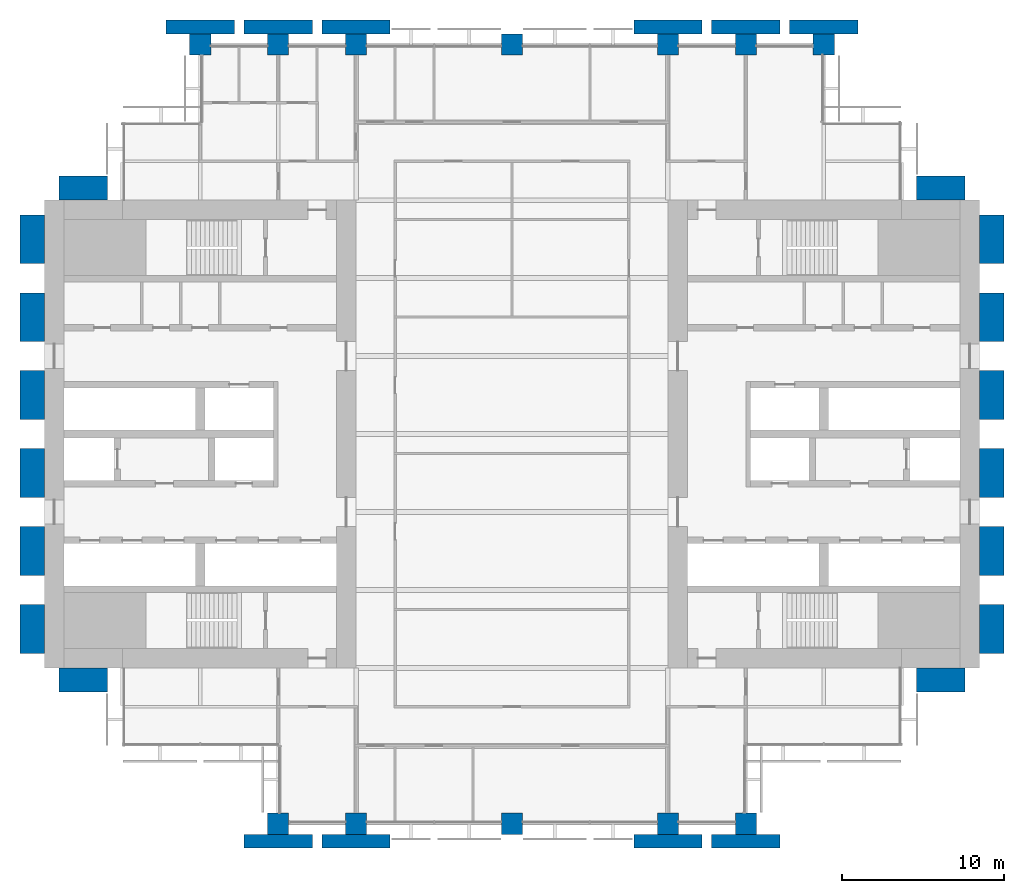
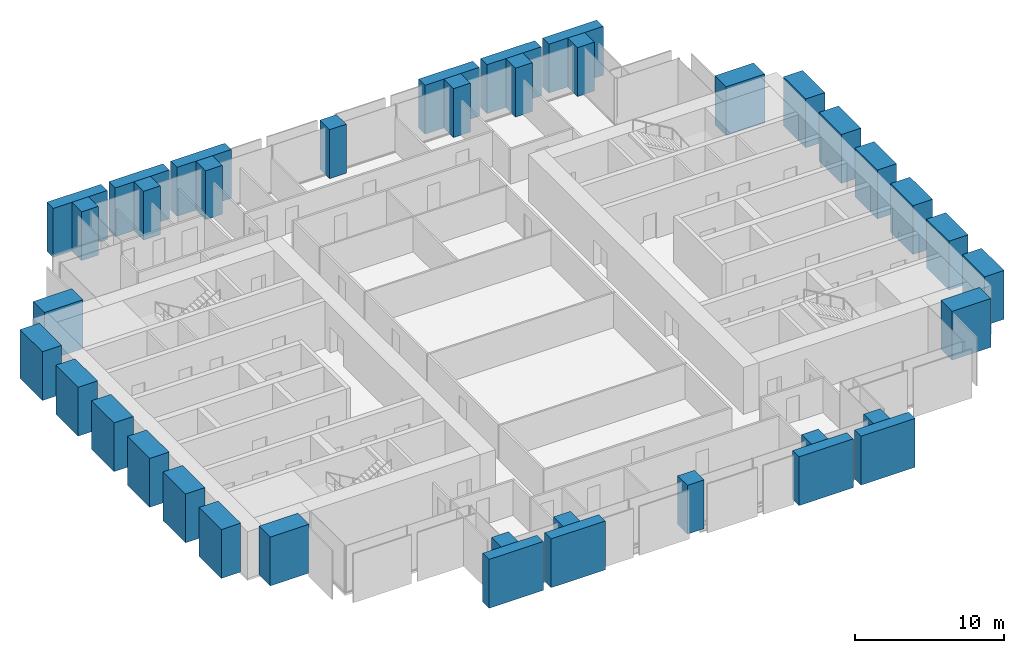
# One storey, part 1 of 14: 38 columns.
"""IFC4 building model written with IfcOpenShell, lengths in metres."""

from ifc_helpers import new_model, si_unit, direction, frame, origin, origin_2d, place, context, subcontext, project, spatial, rectangle, extrude, material, material_profile, profile_set, type_object, element, save


model = new_model("IFC4")

# Units and contexts
model_context = context("Model", 3, precision=1e-05, world=origin(), true_north=direction((0.0, 1.0)))
body_context = subcontext(model_context, "Body", "Model", "MODEL_VIEW")
ifc_project = project(units=[si_unit("LENGTHUNIT", "METRE"), si_unit("AREAUNIT", "SQUARE_METRE"), si_unit("VOLUMEUNIT", "CUBIC_METRE"), si_unit("PLANEANGLEUNIT", "RADIAN"), si_unit("MASSUNIT", "GRAM", prefix="KILO")], contexts=[model_context])

# Site, building, storey
site_placement = place(None, origin())
site = spatial("IfcSite", under=ifc_project, at=site_placement, CompositionType="ELEMENT")
building_placement = place(site_placement, origin())
building = spatial("IfcBuilding", under=site, at=building_placement, Name="Baori Bourse Tower", CompositionType="ELEMENT")
storey_placement = place(building_placement, frame((0.0, 0.0, 67.0)))
storey = spatial("IfcBuildingStorey", under=building, at=storey_placement, Name="L14", CompositionType="ELEMENT", Elevation=67.0)

# Columns
ifc_material_1 = material(Name="Concrete f'c 60 MPa", Category="concrete")
ifc_material_profile_1 = material_profile(ifc_material_1, rectangle(XDim=4.199951171875, YDim=0.85009765625, at=origin_2d()), Name="RC 4200x850")
ifc_profile_set_1 = profile_set([ifc_material_profile_1], Name="Concrete f'c 60 MPa")
column_type_1 = type_object("IfcColumnType", Name="FN3 Brick pilaster 4200x850", PredefinedType="PILASTER", material=ifc_profile_set_1)
for number, where, z_axis, x_axis, name in (
    (1, (14.39990234375, -1.074951171875, 0.0), (0.0, 0.0, 1.0), (1.0, 0.0, 0.0), "Brick pilaster L14 17"),
    (2, (19.199951171875, -1.074951171875, 0.0), (0.0, 0.0, 1.0), (1.0, 0.0, 0.0), "Brick pilaster L14 18"),
    (3, (38.39990234375, -1.074951171875, 0.0), (0.0, 0.0, 1.0), (1.0, 0.0, 0.0), "Brick pilaster L14 19"),
    (4, (43.199951171875, -1.074951171875, 0.0), (0.0, 0.0, 1.0), (1.0, 0.0, 0.0), "Brick pilaster L14 20"),
    (5, (9.60009765625, 49.074951171875, 0.0), (0.0, 0.0, 1.0), (1.0, 0.0, 0.0), "Brick pilaster L14 21"),
    (6, (14.39990234375, 49.074951171875, 0.0), (0.0, 0.0, 1.0), (1.0, 0.0, 0.0), "Brick pilaster L14 22"),
    (7, (19.199951171875, 49.074951171875, 0.0), (0.0, 0.0, 1.0), (1.0, 0.0, 0.0), "Brick pilaster L14 23"),
    (8, (38.39990234375, 49.074951171875, 0.0), (0.0, 0.0, 1.0), (1.0, 0.0, 0.0), "Brick pilaster L14 24"),
    (9, (43.199951171875, 49.074951171875, 0.0), (0.0, 0.0, 1.0), (1.0, 0.0, 0.0), "Brick pilaster L14 25"),
    (10, (48.0, 49.074951171875, 0.0), (0.0, 0.0, 1.0), (1.0, 0.0, 0.0), "Brick pilaster L14 26"),
):
    element("IfcColumn", number, at=place(storey_placement, frame(where, z_axis=z_axis, x_axis=x_axis)), inside=storey, type_object=column_type_1, Name=name, PredefinedType="PILASTER", context=body_context, shape_type="SweptSolid", body=[
        extrude(rectangle(XDim=4.199951171875, YDim=0.85009765625, at=origin_2d()), origin(), (0.0, 0.0, 1.0), 4.0),
    ])
ifc_material_2 = material(Name="Concrete f'c 60 MPa", Category="concrete")
ifc_material_profile_2 = material_profile(ifc_material_2, rectangle(XDim=3.0, YDim=1.5, at=origin_2d()), Name="RC 3000x1500")
ifc_profile_set_2 = profile_set([ifc_material_profile_2], Name="Concrete f'c 60 MPa")
column_type_2 = type_object("IfcColumnType", Name="FN4 Brick flank pilaster 3000x1500", PredefinedType="PILASTER", material=ifc_profile_set_2)
for number, where, z_axis, x_axis, name in (
    (11, (55.199951171875, 8.85009765625, 0.0), (0.0, 0.0, 1.0), (1.0, 0.0, 0.0), "Brick pilaster L14 1"),
    (12, (58.35009765625, 12.0, 0.0), (0.0, 0.0, 1.0), (0.0, 1.0, 0.0), "Brick pilaster L14 2"),
    (13, (58.35009765625, 16.800048828125, 0.0), (0.0, 0.0, 1.0), (0.0, 1.0, 0.0), "Brick pilaster L14 3"),
    (14, (58.35009765625, 21.60009765625, 0.0), (0.0, 0.0, 1.0), (0.0, 1.0, 0.0), "Brick pilaster L14 4"),
    (15, (58.35009765625, 26.39990234375, 0.0), (0.0, 0.0, 1.0), (0.0, 1.0, 0.0), "Brick pilaster L14 5"),
    (16, (58.35009765625, 31.199951171875, 0.0), (0.0, 0.0, 1.0), (0.0, 1.0, 0.0), "Brick pilaster L14 6"),
    (17, (58.35009765625, 36.0, 0.0), (0.0, 0.0, 1.0), (0.0, 1.0, 0.0), "Brick pilaster L14 7"),
    (18, (55.199951171875, 39.14990234375, 0.0), (0.0, 0.0, 1.0), (1.0, 0.0, 0.0), "Brick pilaster L14 8"),
    (19, (2.39990234375, 39.14990234375, 0.0), (0.0, 0.0, 1.0), (1.0, 0.0, 0.0), "Brick pilaster L14 9"),
    (20, (-0.75, 12.0, 0.0), (0.0, 0.0, 1.0), (0.0, 1.0, 0.0), "Brick pilaster L14 10"),
    (21, (-0.75, 16.800048828125, 0.0), (0.0, 0.0, 1.0), (0.0, 1.0, 0.0), "Brick pilaster L14 11"),
    (22, (-0.75, 21.60009765625, 0.0), (0.0, 0.0, 1.0), (0.0, 1.0, 0.0), "Brick pilaster L14 12"),
    (23, (-0.75, 26.39990234375, 0.0), (0.0, 0.0, 1.0), (0.0, 1.0, 0.0), "Brick pilaster L14 13"),
    (24, (-0.75, 31.199951171875, 0.0), (0.0, 0.0, 1.0), (0.0, 1.0, 0.0), "Brick pilaster L14 14"),
    (25, (-0.75, 36.0, 0.0), (0.0, 0.0, 1.0), (0.0, 1.0, 0.0), "Brick pilaster L14 15"),
    (26, (2.39990234375, 8.85009765625, 0.0), (0.0, 0.0, 1.0), (1.0, 0.0, 0.0), "Brick pilaster L14 16"),
):
    element("IfcColumn", number, at=place(storey_placement, frame(where, z_axis=z_axis, x_axis=x_axis)), inside=storey, type_object=column_type_2, Name=name, PredefinedType="PILASTER", context=body_context, shape_type="SweptSolid", body=[
        extrude(rectangle(XDim=3.0, YDim=1.5, at=origin_2d()), origin(), (0.0, 0.0, 1.0), 4.0),
    ])
ifc_material_3 = material(Name="Concrete f'c 70 MPa", Category="concrete")
ifc_material_profile_3 = material_profile(ifc_material_3, rectangle(XDim=1.300048828125, YDim=1.300048828125, at=origin_2d()), Name="RC 1300x1300")
ifc_profile_set_3 = profile_set([ifc_material_profile_3], Name="Concrete f'c 70 MPa")
column_type_3 = type_object("IfcColumnType", Name="Perimeter column RC 1300x1300", PredefinedType="COLUMN", material=ifc_profile_set_3)
for number, where, z_axis, x_axis, name in (
    (27, (14.39990234375, 0.0, 0.0), (0.0, 0.0, 1.0), (1.0, 0.0, 0.0), "Perimeter column L14"),
    (28, (19.199951171875, 0.0, 0.0), (0.0, 0.0, 1.0), (1.0, 0.0, 0.0), "Perimeter column L14"),
    (29, (28.800048828125, 0.0, 0.0), (0.0, 0.0, 1.0), (1.0, 0.0, 0.0), "Perimeter column L14"),
    (30, (38.39990234375, 0.0, 0.0), (0.0, 0.0, 1.0), (1.0, 0.0, 0.0), "Perimeter column L14"),
    (31, (43.199951171875, 0.0, 0.0), (0.0, 0.0, 1.0), (1.0, 0.0, 0.0), "Perimeter column L14"),
    (32, (9.60009765625, 48.0, 0.0), (0.0, 0.0, 1.0), (1.0, 0.0, 0.0), "Perimeter column L14"),
    (33, (14.39990234375, 48.0, 0.0), (0.0, 0.0, 1.0), (1.0, 0.0, 0.0), "Perimeter column L14"),
    (34, (19.199951171875, 48.0, 0.0), (0.0, 0.0, 1.0), (1.0, 0.0, 0.0), "Perimeter column L14"),
    (35, (28.800048828125, 48.0, 0.0), (0.0, 0.0, 1.0), (1.0, 0.0, 0.0), "Perimeter column L14"),
    (36, (38.39990234375, 48.0, 0.0), (0.0, 0.0, 1.0), (1.0, 0.0, 0.0), "Perimeter column L14"),
    (37, (43.199951171875, 48.0, 0.0), (0.0, 0.0, 1.0), (1.0, 0.0, 0.0), "Perimeter column L14"),
    (38, (48.0, 48.0, 0.0), (0.0, 0.0, 1.0), (1.0, 0.0, 0.0), "Perimeter column L14"),
):
    element("IfcColumn", number, at=place(storey_placement, frame(where, z_axis=z_axis, x_axis=x_axis)), inside=storey, type_object=column_type_3, Name=name, PredefinedType="COLUMN", context=body_context, shape_type="SweptSolid", body=[
        extrude(rectangle(XDim=1.300048828125, YDim=1.300048828125, at=origin_2d()), origin(), (0.0, 0.0, 1.0), 4.0),
    ])

save(model, "model.ifc")
